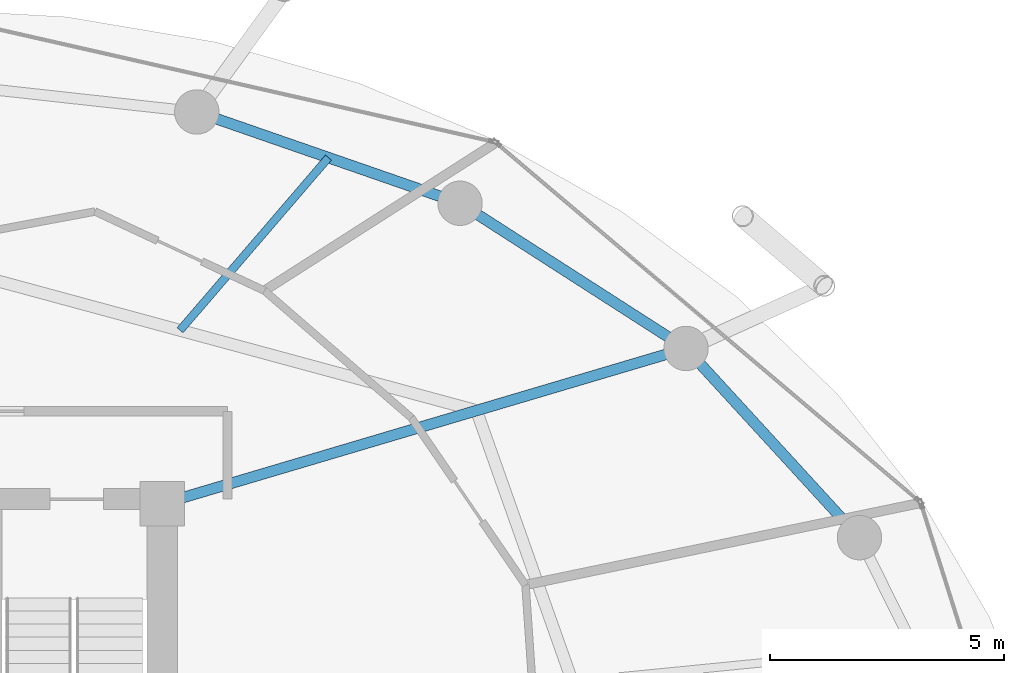
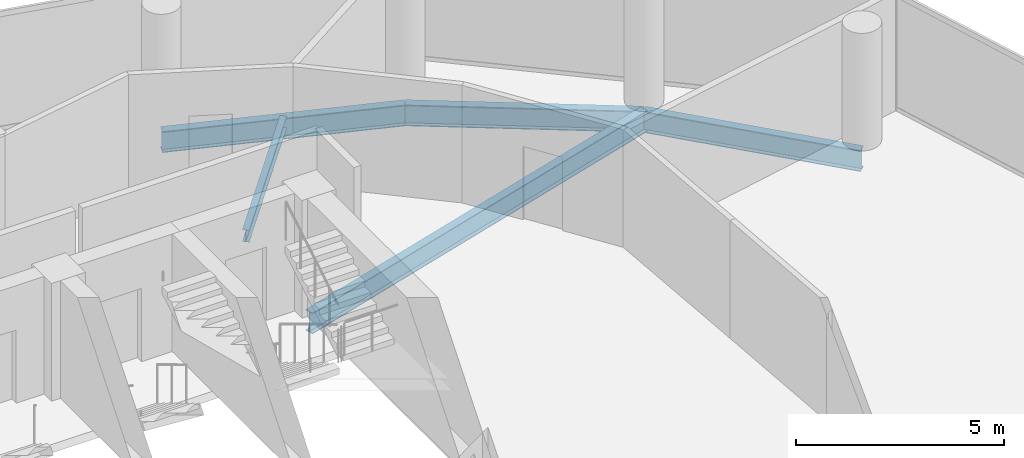
# One storey, part 18 of 26: 5 beams.
"""IFC4 building model written with IfcOpenShell, lengths in metres."""

from ifc_helpers import new_model, si_unit, direction, frame, origin, origin_2d, place, context, subcontext, project, spatial, i_section, extrude, material, material_profile, profile_set, type_object, element, save


model = new_model("IFC4")

# Units and contexts
model_context = context("Model", 3, precision=1e-05, world=origin(), true_north=direction((0.0, 1.0)))
body_context = subcontext(model_context, "Body", "Model", "MODEL_VIEW")
ifc_project = project(units=[si_unit("LENGTHUNIT", "METRE"), si_unit("AREAUNIT", "SQUARE_METRE"), si_unit("VOLUMEUNIT", "CUBIC_METRE"), si_unit("PLANEANGLEUNIT", "RADIAN"), si_unit("MASSUNIT", "GRAM", prefix="KILO")], contexts=[model_context])

# Site, building, storey
site_placement = place(None, origin())
site = spatial("IfcSite", under=ifc_project, at=site_placement, CompositionType="ELEMENT")
building_placement = place(site_placement, origin())
building = spatial("IfcBuilding", under=site, at=building_placement, Name="Nuhasar Tower", CompositionType="ELEMENT")
storey_placement = place(building_placement, frame((0.0, 0.0, 147.85009765625)))
storey = spatial("IfcBuildingStorey", under=building, at=storey_placement, Name="L35", CompositionType="ELEMENT", Elevation=147.85009765625)

# Beams
ifc_material = material(Name="Steel S355", Category="steel")
ifc_material_profile_1 = material_profile(ifc_material, i_section(OverallWidth=0.1708984375, OverallDepth=0.35205078125, WebThickness=0.0068359375, FlangeThickness=0.009765625, at=origin_2d()), Name="W14X30")
ifc_profile_set_1 = profile_set([ifc_material_profile_1], Name="Steel S355")
beam_type_1 = type_object("IfcBeamType", Name="BM-JST-W14X30", PredefinedType="JOIST", material=ifc_profile_set_1)
beam_1_placement = place(storey_placement, frame((44.68408203125, 41.011962890625, -0.426025390625), z_axis=(0.651690621509, 0.758484893612, 0.0), x_axis=(-0.758484893612, 0.651690621509, 0.0)))
element("IfcBeam", 1, at=beam_1_placement, inside=storey, type_object=beam_type_1, Name="L35 Secondary Floor Joist 05", PredefinedType="JOIST", context=body_context, shape_type="SweptSolid", body=[
    extrude(i_section(OverallWidth=0.1708984375, OverallDepth=0.35205078125, WebThickness=0.0068359375, FlangeThickness=0.009765625, at=origin_2d()), origin(), (0.0, 0.0, 1.0), 4.87158203125),
])
ifc_material_profile_2 = material_profile(ifc_material, i_section(OverallWidth=0.22900390625, OverallDepth=0.612060546875, WebThickness=0.011962890625, FlangeThickness=0.01953125, at=origin_2d()), Name="W24X84")
ifc_profile_set_2 = profile_set([ifc_material_profile_2], Name="Steel S355")
beam_type_2 = type_object("IfcBeamType", Name="BM-RAD-W24X84", PredefinedType="BEAM", material=ifc_profile_set_2)
beam_2_placement = place(storey_placement, frame((44.300048828125, 37.300048828125, -0.55615234375), z_axis=(0.958746492721, 0.284262489076, 0.0), x_axis=(-0.284262489076, 0.958746492721, 0.0)))
element("IfcBeam", 2, at=beam_2_placement, inside=storey, type_object=beam_type_2, Name="L35 Radial Floor Girder 05", PredefinedType="BEAM", context=body_context, shape_type="SweptSolid", body=[
    extrude(i_section(OverallWidth=0.22900390625, OverallDepth=0.612060546875, WebThickness=0.011962890625, FlangeThickness=0.01953125, at=origin_2d()), origin(), (0.0, 0.0, 1.0), 11.693359375),
])
ifc_material_profile_3 = material_profile(ifc_material, i_section(OverallWidth=0.22998046875, OverallDepth=0.616943359375, WebThickness=0.01318359375, FlangeThickness=0.022216796875, at=origin_2d()), Name="W24X94")
ifc_profile_set_3 = profile_set([ifc_material_profile_3], Name="Steel S355")
beam_type_3 = type_object("IfcBeamType", Name="BM-RING-W24X94", PredefinedType="SPANDREL", material=ifc_profile_set_3)
beam_3_placement = place(storey_placement, frame((59.221923828125, 36.574951171875, -0.55908203125), z_axis=(-0.675654174897, 0.737218716491, 0.0), x_axis=(-0.737218716491, -0.675654174897, 0.0)))
element("IfcBeam", 3, at=beam_3_placement, inside=storey, type_object=beam_type_3, Name="L35 Perimeter Ring Spandrel 03", PredefinedType="SPANDREL", context=body_context, shape_type="SweptSolid", body=[
    extrude(i_section(OverallWidth=0.22998046875, OverallDepth=0.616943359375, WebThickness=0.01318359375, FlangeThickness=0.022216796875, at=origin_2d()), origin(), (0.0, 0.0, 1.0), 5.492431640625),
])
beam_4_placement = place(storey_placement, frame((55.510986328125, 40.6240234375, -0.55908203125), z_axis=(-0.841327486207, 0.540525726448, 0.0), x_axis=(-0.540525726448, -0.841327486207, 0.0)))
element("IfcBeam", 4, at=beam_4_placement, inside=storey, type_object=beam_type_3, Name="L35 Perimeter Ring Spandrel 04", PredefinedType="SPANDREL", context=body_context, shape_type="SweptSolid", body=[
    extrude(i_section(OverallWidth=0.22998046875, OverallDepth=0.616943359375, WebThickness=0.01318359375, FlangeThickness=0.022216796875, at=origin_2d()), origin(), (0.0, 0.0, 1.0), 5.748046875),
])
beam_5_placement = place(storey_placement, frame((50.675048828125, 43.73095703125, -0.55908203125), z_axis=(-0.944801380051, 0.327643636066, 0.0), x_axis=(-0.327643636066, -0.944801380051, 0.0)))
element("IfcBeam", 5, at=beam_5_placement, inside=storey, type_object=beam_type_3, Name="L35 Perimeter Ring Spandrel 05", PredefinedType="SPANDREL", context=body_context, shape_type="SweptSolid", body=[
    extrude(i_section(OverallWidth=0.22998046875, OverallDepth=0.616943359375, WebThickness=0.01318359375, FlangeThickness=0.022216796875, at=origin_2d()), origin(), (0.0, 0.0, 1.0), 5.961181640625),
])

save(model, "model.ifc")
